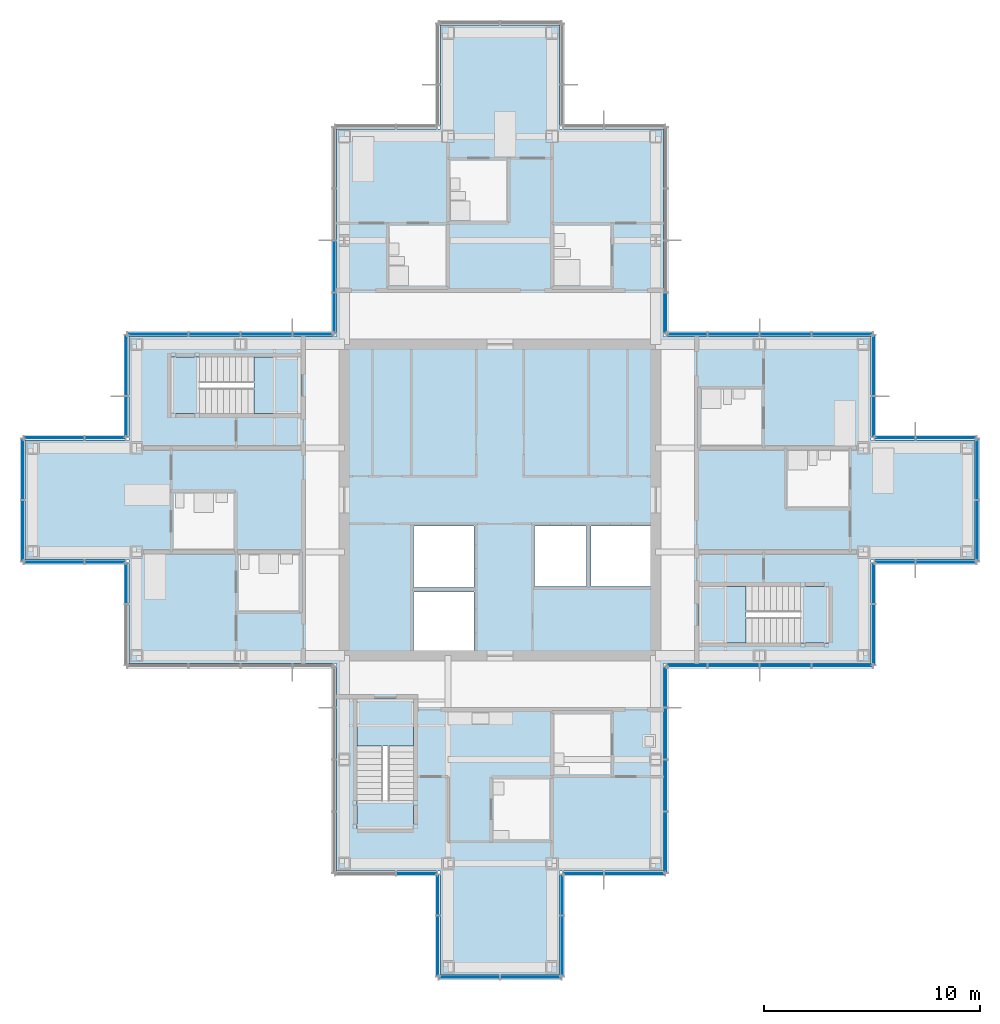
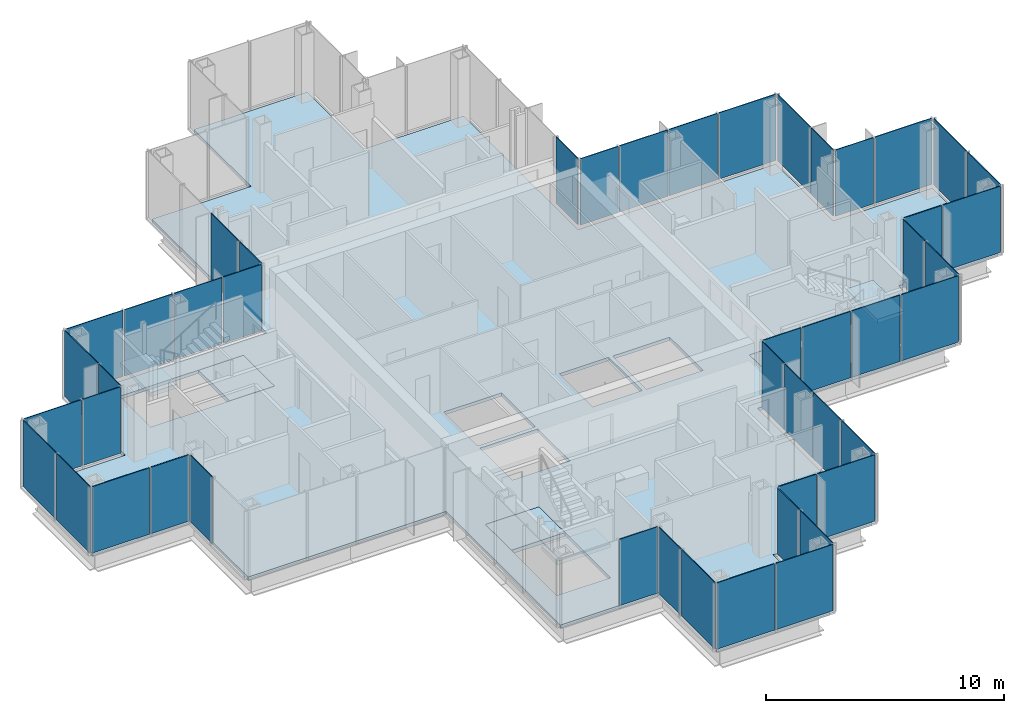
# One storey, part 10 of 17: 47 plates, 7 slabs, 24 elements without a shape of their own.
"""IFC4 building model written with IfcOpenShell, lengths in metres."""

from ifc_helpers import new_model, si_unit, direction, frame, origin, origin_2d, place, context, subcontext, project, spatial, polyline, rectangle, outline, extrude, material, layer, layer_set, type_object, element, aggregate, save


model = new_model("IFC4")

# Units and contexts
model_context = context("Model", 3, precision=1e-05, world=origin(), true_north=direction((0.0, 1.0)))
body_context = subcontext(model_context, "Body", "Model", "MODEL_VIEW")
ifc_project = project(units=[si_unit("LENGTHUNIT", "METRE"), si_unit("AREAUNIT", "SQUARE_METRE"), si_unit("VOLUMEUNIT", "CUBIC_METRE"), si_unit("PLANEANGLEUNIT", "RADIAN"), si_unit("MASSUNIT", "GRAM", prefix="KILO")], contexts=[model_context])

# Site, building, storey
site_placement = place(None, origin())
site = spatial("IfcSite", under=ifc_project, at=site_placement, CompositionType="ELEMENT")
building_placement = place(site_placement, origin())
building = spatial("IfcBuilding", under=site, at=building_placement, Name="Kvirike Care Tower", CompositionType="ELEMENT")
storey_placement = place(building_placement, frame((0.0, 0.0, 148.0)))
storey = spatial("IfcBuildingStorey", under=building, at=storey_placement, Name="L40", CompositionType="ELEMENT", Elevation=148.0)

# Slab
ifc_material_1 = material(Name="Concrete C35/45", Category="concrete")
ifc_layer_1 = layer(ifc_material_1, 0.169921875)
ifc_layer_set_1 = layer_set([ifc_layer_1], Name="FLOOR SLAB 170")
slab_type_1 = type_object("IfcSlabType", Name="FLOOR SLAB 170", PredefinedType="FLOOR", material=ifc_layer_set_1)
slab_1_placement = place(storey_placement, frame((0.0, 0.0, -0.169921875)))
element("IfcSlab", 1, at=slab_1_placement, inside=storey, type_object=slab_type_1, Name="Floor slab L40", PredefinedType="FLOOR", context=body_context, shape_type="SweptSolid", body=[
    extrude(outline(polyline([(29.14990234375, 28.449951171875), (38.75, 28.449951171875), (38.75, 33.25), (43.550048828125, 33.25), (43.550048828125, 38.75), (38.75, 38.75), (38.75, 43.550048828125), (29.14990234375, 43.550048828125), (29.14990234375, 53.14990234375), (24.35009765625, 53.14990234375), (24.35009765625, 57.949951171875), (18.85009765625, 57.949951171875), (18.85009765625, 53.14990234375), (14.050048828125, 53.14990234375), (14.050048828125, 43.550048828125), (4.449951171875, 43.550048828125), (4.449951171875, 38.75), (-0.35009765625, 38.75), (-0.35009765625, 33.25), (4.449951171875, 33.25), (4.449951171875, 28.449951171875), (14.050048828125, 28.449951171875), (14.050048828125, 18.85009765625), (18.85009765625, 18.85009765625), (18.85009765625, 14.050048828125), (24.35009765625, 14.050048828125), (24.35009765625, 18.85009765625), (29.14990234375, 18.85009765625), (29.14990234375, 28.449951171875)]), holes=[polyline([(17.60009765625, 29.050048828125), (17.60009765625, 31.75), (20.39990234375, 31.75), (20.39990234375, 29.050048828125), (17.60009765625, 29.050048828125)]), polyline([(17.60009765625, 31.949951171875), (17.60009765625, 34.800048828125), (20.39990234375, 34.800048828125), (20.39990234375, 31.949951171875), (17.60009765625, 31.949951171875)]), polyline([(23.199951171875, 32.0), (23.199951171875, 34.800048828125), (25.60009765625, 34.800048828125), (25.60009765625, 32.0), (23.199951171875, 32.0)]), polyline([(25.800048828125, 32.0), (25.800048828125, 34.800048828125), (28.550048828125, 34.800048828125), (28.550048828125, 32.0), (25.800048828125, 32.0)]), polyline([(12.39990234375, 42.60009765625), (12.39990234375, 40.0), (6.39990234375, 40.0), (6.39990234375, 42.60009765625), (12.39990234375, 42.60009765625)]), polyline([(30.800048828125, 29.39990234375), (30.800048828125, 32.0), (36.800048828125, 32.0), (36.800048828125, 29.39990234375), (30.800048828125, 29.39990234375)]), polyline([(15.0, 26.800048828125), (17.60009765625, 26.800048828125), (17.60009765625, 20.800048828125), (15.0, 20.800048828125), (15.0, 26.800048828125)])]), origin(), (0.0, 0.0, 1.0), 0.169921875),
])

# Stair, slabs
ifc_material_2 = material(Name="Concrete C35/45", Category="concrete")
stair_type = type_object("IfcStairType", Name="STAIR 20 RISERS", PredefinedType="HALF_TURN_STAIR", material=ifc_material_2)
stair_1_placement = place(storey_placement, origin())
stair_1 = element("IfcStair", 2, at=stair_1_placement, inside=storey, type_object=stair_type, Name="Stair 1 L40", PredefinedType="HALF_TURN_STAIR")
ifc_material_3 = material(Name="Concrete C35/45", Category="concrete")
ifc_layer_2 = layer(ifc_material_3, 0.199951171875)
ifc_layer_set_2 = layer_set([ifc_layer_2], Name="STAIR LANDING 200")
slab_type_2 = type_object("IfcSlabType", Name="STAIR LANDING 200", PredefinedType="LANDING", material=ifc_layer_set_2)
slab_2_placement = place(storey_placement, frame((0.0, 0.0, -0.199951171875)))
slab_2 = element("IfcSlab", 3, at=slab_2_placement, type_object=slab_type_2, Name="Stair S1 floor landing L40", PredefinedType="LANDING", context=body_context, shape_type="SweptSolid", body=[
    extrude(outline(polyline([(10.219970703125, 42.60009765625), (10.219970703125, 40.0), (12.39990234375, 40.0), (12.39990234375, 42.60009765625), (10.219970703125, 42.60009765625)])), origin(), (0.0, 0.0, 1.0), 0.199951171875),
])
slab_3_placement = place(storey_placement, frame((0.0, 0.0, 1.550048828125)))
slab_3 = element("IfcSlab", 4, at=slab_3_placement, type_object=slab_type_2, Name="Stair S1 half landing L40-L41", PredefinedType="LANDING", context=body_context, shape_type="SweptSolid", body=[
    extrude(outline(polyline([(6.39990234375, 42.60009765625), (6.39990234375, 40.0), (7.699951171875, 40.0), (7.699951171875, 42.60009765625), (6.39990234375, 42.60009765625)])), origin(), (0.0, 0.0, 1.0), 0.199951171875),
])
aggregate(stair_1, [slab_2, slab_3])

stair_2_placement = place(storey_placement, origin())
stair_2 = element("IfcStair", 5, at=stair_2_placement, inside=storey, type_object=stair_type, Name="Stair 2 L40", PredefinedType="HALF_TURN_STAIR")
slab_4_placement = place(storey_placement, frame((0.0, 0.0, -0.199951171875)))
slab_4 = element("IfcSlab", 6, at=slab_4_placement, type_object=slab_type_2, Name="Stair S2 floor landing L40", PredefinedType="LANDING", context=body_context, shape_type="SweptSolid", body=[
    extrude(outline(polyline([(32.97998046875, 29.39990234375), (32.97998046875, 32.0), (30.800048828125, 32.0), (30.800048828125, 29.39990234375), (32.97998046875, 29.39990234375)])), origin(), (0.0, 0.0, 1.0), 0.199951171875),
])
slab_5_placement = place(storey_placement, frame((0.0, 0.0, 1.550048828125)))
slab_5 = element("IfcSlab", 7, at=slab_5_placement, type_object=slab_type_2, Name="Stair S2 half landing L40-L41", PredefinedType="LANDING", context=body_context, shape_type="SweptSolid", body=[
    extrude(outline(polyline([(36.800048828125, 29.39990234375), (36.800048828125, 32.0), (35.5, 32.0), (35.5, 29.39990234375), (36.800048828125, 29.39990234375)])), origin(), (0.0, 0.0, 1.0), 0.199951171875),
])
aggregate(stair_2, [slab_4, slab_5])

stair_3_placement = place(storey_placement, origin())
stair_3 = element("IfcStair", 8, at=stair_3_placement, inside=storey, type_object=stair_type, Name="Stair 5 L40", PredefinedType="HALF_TURN_STAIR")
slab_6_placement = place(storey_placement, frame((0.0, 0.0, -0.199951171875)))
slab_6 = element("IfcSlab", 9, at=slab_6_placement, type_object=slab_type_2, Name="Stair S5 floor landing L40", PredefinedType="LANDING", context=body_context, shape_type="SweptSolid", body=[
    extrude(outline(polyline([(15.0, 24.6201171875), (17.60009765625, 24.6201171875), (17.60009765625, 26.800048828125), (15.0, 26.800048828125), (15.0, 24.6201171875)])), origin(), (0.0, 0.0, 1.0), 0.199951171875),
])
slab_7_placement = place(storey_placement, frame((0.0, 0.0, 1.550048828125)))
slab_7 = element("IfcSlab", 10, at=slab_7_placement, type_object=slab_type_2, Name="Stair S5 half landing L40-L41", PredefinedType="LANDING", context=body_context, shape_type="SweptSolid", body=[
    extrude(outline(polyline([(15.0, 20.800048828125), (17.60009765625, 20.800048828125), (17.60009765625, 22.10009765625), (15.0, 22.10009765625), (15.0, 20.800048828125)])), origin(), (0.0, 0.0, 1.0), 0.199951171875),
])
aggregate(stair_3, [slab_6, slab_7])

# Curtain wall, plates
ifc_material_4 = material(Name="Anodised aluminium stick system", Category="aluminium")
curtain_wall_type = type_object("IfcCurtainWallType", Name="CW-C STICK CURTAIN WALL", PredefinedType="NOTDEFINED", material=ifc_material_4)
curtain_wall_1_placement = place(storey_placement, origin())
curtain_wall_1 = element("IfcCurtainWall", 11, at=curtain_wall_1_placement, inside=storey, type_object=curtain_wall_type, Name="Curtain wall L40 face 1", PredefinedType="NOTDEFINED")
ifc_material_5 = material(Name="Tinted double glazed unit", Category="glass")
ifc_layer_3 = layer(ifc_material_5, 0.0400390625)
ifc_layer_set_3 = layer_set([ifc_layer_3], Name="TINTED VISION PANEL 40")
plate_type = type_object("IfcPlateType", Name="TINTED VISION PANEL 40", PredefinedType="CURTAIN_PANEL", material=ifc_layer_set_3)
plate_1_placement = place(storey_placement, frame((30.251220703125, 28.330078125, 0.10009765625), z_axis=(0.0, 0.0, 1.0), x_axis=(1.0, 0.0, 0.0)))
plate_1 = element("IfcPlate", 12, at=plate_1_placement, type_object=plate_type, Name="CW-C panel L40 face 1.1", PredefinedType="CURTAIN_PANEL", context=body_context, shape_type="SweptSolid", body=[
    extrude(rectangle(XDim=1.83251953125, YDim=0.0400390625, at=origin_2d()), origin(), (0.0, 0.0, 1.0), 3.39990234375),
])
plate_2_placement = place(storey_placement, frame((32.39990234375, 28.330078125, 0.10009765625), z_axis=(0.0, 0.0, 1.0), x_axis=(1.0, 0.0, 0.0)))
plate_2 = element("IfcPlate", 13, at=plate_2_placement, type_object=plate_type, Name="CW-C panel L40 face 1.2", PredefinedType="CURTAIN_PANEL", context=body_context, shape_type="SweptSolid", body=[
    extrude(rectangle(XDim=2.3349609375, YDim=0.0400390625, at=origin_2d()), origin(), (0.0, 0.0, 1.0), 3.39990234375),
])
plate_3_placement = place(storey_placement, frame((34.800048828125, 28.330078125, 0.10009765625), z_axis=(0.0, 0.0, 1.0), x_axis=(1.0, 0.0, 0.0)))
plate_3 = element("IfcPlate", 14, at=plate_3_placement, type_object=plate_type, Name="CW-C panel L40 face 1.3", PredefinedType="CURTAIN_PANEL", context=body_context, shape_type="SweptSolid", body=[
    extrude(rectangle(XDim=2.3349609375, YDim=0.0400390625, at=origin_2d()), origin(), (0.0, 0.0, 1.0), 3.39990234375),
])
plate_4_placement = place(storey_placement, frame((37.418701171875, 28.330078125, 0.10009765625), z_axis=(0.0, 0.0, 1.0), x_axis=(1.0, 0.0, 0.0)))
plate_4 = element("IfcPlate", 15, at=plate_4_placement, type_object=plate_type, Name="CW-C panel L40 face 1.4", PredefinedType="CURTAIN_PANEL", context=body_context, shape_type="SweptSolid", body=[
    extrude(rectangle(XDim=2.7724609375, YDim=0.0400390625, at=origin_2d()), origin(), (0.0, 0.0, 1.0), 3.39990234375),
])
aggregate(curtain_wall_1, [plate_1, plate_2, plate_3, plate_4])

curtain_wall_2_placement = place(storey_placement, origin())
curtain_wall_2 = element("IfcCurtainWall", 16, at=curtain_wall_2_placement, inside=storey, type_object=curtain_wall_type, Name="Curtain wall L40 face 2", PredefinedType="NOTDEFINED")
plate_5_placement = place(storey_placement, frame((38.8701171875, 29.78125, 0.10009765625), z_axis=(0.0, 0.0, 1.0), x_axis=(0.0, 1.0, 0.0)))
plate_5 = element("IfcPlate", 17, at=plate_5_placement, type_object=plate_type, Name="CW-C panel L40 face 2.1", PredefinedType="CURTAIN_PANEL", context=body_context, shape_type="SweptSolid", body=[
    extrude(rectangle(XDim=2.7724609375, YDim=0.0400390625, at=origin_2d()), origin(), (0.0, 0.0, 1.0), 3.39990234375),
])
plate_6_placement = place(storey_placement, frame((38.8701171875, 32.148681640625, 0.10009765625), z_axis=(0.0, 0.0, 1.0), x_axis=(0.0, 1.0, 0.0)))
plate_6 = element("IfcPlate", 18, at=plate_6_placement, type_object=plate_type, Name="CW-C panel L40 face 2.2", PredefinedType="CURTAIN_PANEL", context=body_context, shape_type="SweptSolid", body=[
    extrude(rectangle(XDim=1.83251953125, YDim=0.0400390625, at=origin_2d()), origin(), (0.0, 0.0, 1.0), 3.39990234375),
])
aggregate(curtain_wall_2, [plate_5, plate_6])

curtain_wall_3_placement = place(storey_placement, origin())
curtain_wall_3 = element("IfcCurtainWall", 19, at=curtain_wall_3_placement, inside=storey, type_object=curtain_wall_type, Name="Curtain wall L40 face 3", PredefinedType="NOTDEFINED")
plate_7_placement = place(storey_placement, frame((39.851318359375, 33.1298828125, 0.10009765625), z_axis=(0.0, 0.0, 1.0), x_axis=(1.0, 0.0, 0.0)))
plate_7 = element("IfcPlate", 20, at=plate_7_placement, type_object=plate_type, Name="CW-C panel L40 face 3.1", PredefinedType="CURTAIN_PANEL", context=body_context, shape_type="SweptSolid", body=[
    extrude(rectangle(XDim=1.83251953125, YDim=0.0400390625, at=origin_2d()), origin(), (0.0, 0.0, 1.0), 3.39990234375),
])
plate_8_placement = place(storey_placement, frame((42.21875, 33.1298828125, 0.10009765625), z_axis=(0.0, 0.0, 1.0), x_axis=(1.0, 0.0, 0.0)))
plate_8 = element("IfcPlate", 21, at=plate_8_placement, type_object=plate_type, Name="CW-C panel L40 face 3.2", PredefinedType="CURTAIN_PANEL", context=body_context, shape_type="SweptSolid", body=[
    extrude(rectangle(XDim=2.7724609375, YDim=0.0400390625, at=origin_2d()), origin(), (0.0, 0.0, 1.0), 3.39990234375),
])
aggregate(curtain_wall_3, [plate_7, plate_8])

curtain_wall_4_placement = place(storey_placement, origin())
curtain_wall_4 = element("IfcCurtainWall", 22, at=curtain_wall_4_placement, inside=storey, type_object=curtain_wall_type, Name="Curtain wall L40 face 4", PredefinedType="NOTDEFINED")
plate_9_placement = place(storey_placement, frame((43.669921875, 34.581298828125, 0.10009765625), z_axis=(0.0, 0.0, 1.0), x_axis=(0.0, 1.0, 0.0)))
plate_9 = element("IfcPlate", 23, at=plate_9_placement, type_object=plate_type, Name="CW-C panel L40 face 4.1", PredefinedType="CURTAIN_PANEL", context=body_context, shape_type="SweptSolid", body=[
    extrude(rectangle(XDim=2.7724609375, YDim=0.0400390625, at=origin_2d()), origin(), (0.0, 0.0, 1.0), 3.39990234375),
])
plate_10_placement = place(storey_placement, frame((43.669921875, 37.418701171875, 0.10009765625), z_axis=(0.0, 0.0, 1.0), x_axis=(0.0, 1.0, 0.0)))
plate_10 = element("IfcPlate", 24, at=plate_10_placement, type_object=plate_type, Name="CW-C panel L40 face 4.2", PredefinedType="CURTAIN_PANEL", context=body_context, shape_type="SweptSolid", body=[
    extrude(rectangle(XDim=2.7724609375, YDim=0.0400390625, at=origin_2d()), origin(), (0.0, 0.0, 1.0), 3.39990234375),
])
aggregate(curtain_wall_4, [plate_9, plate_10])

curtain_wall_5_placement = place(storey_placement, origin())
curtain_wall_5 = element("IfcCurtainWall", 25, at=curtain_wall_5_placement, inside=storey, type_object=curtain_wall_type, Name="Curtain wall L40 face 5", PredefinedType="NOTDEFINED")
plate_11_placement = place(storey_placement, frame((42.21875, 38.8701171875, 0.10009765625), z_axis=(0.0, 0.0, 1.0), x_axis=(-1.0, 0.0, 0.0)))
plate_11 = element("IfcPlate", 26, at=plate_11_placement, type_object=plate_type, Name="CW-C panel L40 face 5.1", PredefinedType="CURTAIN_PANEL", context=body_context, shape_type="SweptSolid", body=[
    extrude(rectangle(XDim=2.7724609375, YDim=0.0400390625, at=origin_2d()), origin(), (0.0, 0.0, 1.0), 3.39990234375),
])
plate_12_placement = place(storey_placement, frame((39.851318359375, 38.8701171875, 0.10009765625), z_axis=(0.0, 0.0, 1.0), x_axis=(-1.0, 0.0, 0.0)))
plate_12 = element("IfcPlate", 27, at=plate_12_placement, type_object=plate_type, Name="CW-C panel L40 face 5.2", PredefinedType="CURTAIN_PANEL", context=body_context, shape_type="SweptSolid", body=[
    extrude(rectangle(XDim=1.83251953125, YDim=0.0400390625, at=origin_2d()), origin(), (0.0, 0.0, 1.0), 3.39990234375),
])
aggregate(curtain_wall_5, [plate_11, plate_12])

curtain_wall_6_placement = place(storey_placement, origin())
curtain_wall_6 = element("IfcCurtainWall", 28, at=curtain_wall_6_placement, inside=storey, type_object=curtain_wall_type, Name="Curtain wall L40 face 6", PredefinedType="NOTDEFINED")
plate_13_placement = place(storey_placement, frame((38.8701171875, 39.851318359375, 0.10009765625), z_axis=(0.0, 0.0, 1.0), x_axis=(0.0, 1.0, 0.0)))
plate_13 = element("IfcPlate", 29, at=plate_13_placement, type_object=plate_type, Name="CW-C panel L40 face 6.1", PredefinedType="CURTAIN_PANEL", context=body_context, shape_type="SweptSolid", body=[
    extrude(rectangle(XDim=1.83251953125, YDim=0.0400390625, at=origin_2d()), origin(), (0.0, 0.0, 1.0), 3.39990234375),
])
plate_14_placement = place(storey_placement, frame((38.8701171875, 42.21875, 0.10009765625), z_axis=(0.0, 0.0, 1.0), x_axis=(0.0, 1.0, 0.0)))
plate_14 = element("IfcPlate", 30, at=plate_14_placement, type_object=plate_type, Name="CW-C panel L40 face 6.2", PredefinedType="CURTAIN_PANEL", context=body_context, shape_type="SweptSolid", body=[
    extrude(rectangle(XDim=2.7724609375, YDim=0.0400390625, at=origin_2d()), origin(), (0.0, 0.0, 1.0), 3.39990234375),
])
aggregate(curtain_wall_6, [plate_13, plate_14])

curtain_wall_7_placement = place(storey_placement, origin())
curtain_wall_7 = element("IfcCurtainWall", 31, at=curtain_wall_7_placement, inside=storey, type_object=curtain_wall_type, Name="Curtain wall L40 face 7", PredefinedType="NOTDEFINED")
plate_15_placement = place(storey_placement, frame((37.418701171875, 43.669921875, 0.10009765625), z_axis=(0.0, 0.0, 1.0), x_axis=(-1.0, 0.0, 0.0)))
plate_15 = element("IfcPlate", 32, at=plate_15_placement, type_object=plate_type, Name="CW-C panel L40 face 7.1", PredefinedType="CURTAIN_PANEL", context=body_context, shape_type="SweptSolid", body=[
    extrude(rectangle(XDim=2.7724609375, YDim=0.0400390625, at=origin_2d()), origin(), (0.0, 0.0, 1.0), 3.39990234375),
])
plate_16_placement = place(storey_placement, frame((34.800048828125, 43.669921875, 0.10009765625), z_axis=(0.0, 0.0, 1.0), x_axis=(-1.0, 0.0, 0.0)))
plate_16 = element("IfcPlate", 33, at=plate_16_placement, type_object=plate_type, Name="CW-C panel L40 face 7.2", PredefinedType="CURTAIN_PANEL", context=body_context, shape_type="SweptSolid", body=[
    extrude(rectangle(XDim=2.3349609375, YDim=0.0400390625, at=origin_2d()), origin(), (0.0, 0.0, 1.0), 3.39990234375),
])
plate_17_placement = place(storey_placement, frame((32.39990234375, 43.669921875, 0.10009765625), z_axis=(0.0, 0.0, 1.0), x_axis=(-1.0, 0.0, 0.0)))
plate_17 = element("IfcPlate", 34, at=plate_17_placement, type_object=plate_type, Name="CW-C panel L40 face 7.3", PredefinedType="CURTAIN_PANEL", context=body_context, shape_type="SweptSolid", body=[
    extrude(rectangle(XDim=2.3349609375, YDim=0.0400390625, at=origin_2d()), origin(), (0.0, 0.0, 1.0), 3.39990234375),
])
plate_18_placement = place(storey_placement, frame((30.251220703125, 43.669921875, 0.10009765625), z_axis=(0.0, 0.0, 1.0), x_axis=(-1.0, 0.0, 0.0)))
plate_18 = element("IfcPlate", 35, at=plate_18_placement, type_object=plate_type, Name="CW-C panel L40 face 7.4", PredefinedType="CURTAIN_PANEL", context=body_context, shape_type="SweptSolid", body=[
    extrude(rectangle(XDim=1.83251953125, YDim=0.0400390625, at=origin_2d()), origin(), (0.0, 0.0, 1.0), 3.39990234375),
])
aggregate(curtain_wall_7, [plate_15, plate_16, plate_17, plate_18])

# Curtain wall, plate
curtain_wall_8_placement = place(storey_placement, origin())
curtain_wall_8 = element("IfcCurtainWall", 36, at=curtain_wall_8_placement, inside=storey, type_object=curtain_wall_type, Name="Curtain wall L40 face 8", PredefinedType="NOTDEFINED")
plate_19_placement = place(storey_placement, frame((29.27001953125, 44.6513671875, 0.10009765625), z_axis=(0.0, 0.0, 1.0), x_axis=(0.0, 1.0, 0.0)))
plate_19 = element("IfcPlate", 37, at=plate_19_placement, type_object=plate_type, Name="CW-C panel L40 face 8.1", PredefinedType="CURTAIN_PANEL", context=body_context, shape_type="SweptSolid", body=[
    extrude(rectangle(XDim=1.83251953125, YDim=0.0400390625, at=origin_2d()), origin(), (0.0, 0.0, 1.0), 3.39990234375),
])
aggregate(curtain_wall_8, [plate_19])

# Curtain wall, plates
curtain_wall_9_placement = place(storey_placement, origin())
curtain_wall_9 = element("IfcCurtainWall", 38, at=curtain_wall_9_placement, inside=storey, type_object=curtain_wall_type, Name="Curtain wall L40 face 14", PredefinedType="NOTDEFINED")
plate_20_placement = place(storey_placement, frame((13.929931640625, 46.800048828125, 0.10009765625), z_axis=(0.0, 0.0, 1.0), x_axis=(0.0, -1.0, 0.0)))
plate_20 = element("IfcPlate", 39, at=plate_20_placement, type_object=plate_type, Name="CW-C panel L40 face 14.3", PredefinedType="CURTAIN_PANEL", context=body_context, shape_type="SweptSolid", body=[
    extrude(rectangle(XDim=2.3349609375, YDim=0.0400390625, at=origin_2d()), origin(), (0.0, 0.0, 1.0), 3.39990234375),
])
plate_21_placement = place(storey_placement, frame((13.929931640625, 44.6513671875, 0.10009765625), z_axis=(0.0, 0.0, 1.0), x_axis=(0.0, -1.0, 0.0)))
plate_21 = element("IfcPlate", 40, at=plate_21_placement, type_object=plate_type, Name="CW-C panel L40 face 14.4", PredefinedType="CURTAIN_PANEL", context=body_context, shape_type="SweptSolid", body=[
    extrude(rectangle(XDim=1.83251953125, YDim=0.0400390625, at=origin_2d()), origin(), (0.0, 0.0, 1.0), 3.39990234375),
])
aggregate(curtain_wall_9, [plate_20, plate_21])

curtain_wall_10_placement = place(storey_placement, origin())
curtain_wall_10 = element("IfcCurtainWall", 41, at=curtain_wall_10_placement, inside=storey, type_object=curtain_wall_type, Name="Curtain wall L40 face 15", PredefinedType="NOTDEFINED")
plate_22_placement = place(storey_placement, frame((12.94873046875, 43.669921875, 0.10009765625), z_axis=(0.0, 0.0, 1.0), x_axis=(-1.0, 0.0, 0.0)))
plate_22 = element("IfcPlate", 42, at=plate_22_placement, type_object=plate_type, Name="CW-C panel L40 face 15.1", PredefinedType="CURTAIN_PANEL", context=body_context, shape_type="SweptSolid", body=[
    extrude(rectangle(XDim=1.83251953125, YDim=0.0400390625, at=origin_2d()), origin(), (0.0, 0.0, 1.0), 3.39990234375),
])
plate_23_placement = place(storey_placement, frame((10.800048828125, 43.669921875, 0.10009765625), z_axis=(0.0, 0.0, 1.0), x_axis=(-1.0, 0.0, 0.0)))
plate_23 = element("IfcPlate", 43, at=plate_23_placement, type_object=plate_type, Name="CW-C panel L40 face 15.2", PredefinedType="CURTAIN_PANEL", context=body_context, shape_type="SweptSolid", body=[
    extrude(rectangle(XDim=2.3349609375, YDim=0.0400390625, at=origin_2d()), origin(), (0.0, 0.0, 1.0), 3.39990234375),
])
plate_24_placement = place(storey_placement, frame((8.39990234375, 43.669921875, 0.10009765625), z_axis=(0.0, 0.0, 1.0), x_axis=(-1.0, 0.0, 0.0)))
plate_24 = element("IfcPlate", 44, at=plate_24_placement, type_object=plate_type, Name="CW-C panel L40 face 15.3", PredefinedType="CURTAIN_PANEL", context=body_context, shape_type="SweptSolid", body=[
    extrude(rectangle(XDim=2.3349609375, YDim=0.0400390625, at=origin_2d()), origin(), (0.0, 0.0, 1.0), 3.39990234375),
])
plate_25_placement = place(storey_placement, frame((5.78125, 43.669921875, 0.10009765625), z_axis=(0.0, 0.0, 1.0), x_axis=(-1.0, 0.0, 0.0)))
plate_25 = element("IfcPlate", 45, at=plate_25_placement, type_object=plate_type, Name="CW-C panel L40 face 15.4", PredefinedType="CURTAIN_PANEL", context=body_context, shape_type="SweptSolid", body=[
    extrude(rectangle(XDim=2.7724609375, YDim=0.0400390625, at=origin_2d()), origin(), (0.0, 0.0, 1.0), 3.39990234375),
])
aggregate(curtain_wall_10, [plate_22, plate_23, plate_24, plate_25])

curtain_wall_11_placement = place(storey_placement, origin())
curtain_wall_11 = element("IfcCurtainWall", 46, at=curtain_wall_11_placement, inside=storey, type_object=curtain_wall_type, Name="Curtain wall L40 face 16", PredefinedType="NOTDEFINED")
plate_26_placement = place(storey_placement, frame((4.330078125, 42.21875, 0.10009765625), z_axis=(0.0, 0.0, 1.0), x_axis=(0.0, -1.0, 0.0)))
plate_26 = element("IfcPlate", 47, at=plate_26_placement, type_object=plate_type, Name="CW-C panel L40 face 16.1", PredefinedType="CURTAIN_PANEL", context=body_context, shape_type="SweptSolid", body=[
    extrude(rectangle(XDim=2.7724609375, YDim=0.0400390625, at=origin_2d()), origin(), (0.0, 0.0, 1.0), 3.39990234375),
])
plate_27_placement = place(storey_placement, frame((4.330078125, 39.851318359375, 0.10009765625), z_axis=(0.0, 0.0, 1.0), x_axis=(0.0, -1.0, 0.0)))
plate_27 = element("IfcPlate", 48, at=plate_27_placement, type_object=plate_type, Name="CW-C panel L40 face 16.2", PredefinedType="CURTAIN_PANEL", context=body_context, shape_type="SweptSolid", body=[
    extrude(rectangle(XDim=1.83251953125, YDim=0.0400390625, at=origin_2d()), origin(), (0.0, 0.0, 1.0), 3.39990234375),
])
aggregate(curtain_wall_11, [plate_26, plate_27])

curtain_wall_12_placement = place(storey_placement, origin())
curtain_wall_12 = element("IfcCurtainWall", 49, at=curtain_wall_12_placement, inside=storey, type_object=curtain_wall_type, Name="Curtain wall L40 face 17", PredefinedType="NOTDEFINED")
plate_28_placement = place(storey_placement, frame((3.3486328125, 38.8701171875, 0.10009765625), z_axis=(0.0, 0.0, 1.0), x_axis=(-1.0, 0.0, 0.0)))
plate_28 = element("IfcPlate", 50, at=plate_28_placement, type_object=plate_type, Name="CW-C panel L40 face 17.1", PredefinedType="CURTAIN_PANEL", context=body_context, shape_type="SweptSolid", body=[
    extrude(rectangle(XDim=1.83251953125, YDim=0.0400390625, at=origin_2d()), origin(), (0.0, 0.0, 1.0), 3.39990234375),
])
plate_29_placement = place(storey_placement, frame((0.981201171875, 38.8701171875, 0.10009765625), z_axis=(0.0, 0.0, 1.0), x_axis=(-1.0, 0.0, 0.0)))
plate_29 = element("IfcPlate", 51, at=plate_29_placement, type_object=plate_type, Name="CW-C panel L40 face 17.2", PredefinedType="CURTAIN_PANEL", context=body_context, shape_type="SweptSolid", body=[
    extrude(rectangle(XDim=2.7724609375, YDim=0.0400390625, at=origin_2d()), origin(), (0.0, 0.0, 1.0), 3.39990234375),
])
aggregate(curtain_wall_12, [plate_28, plate_29])

curtain_wall_13_placement = place(storey_placement, origin())
curtain_wall_13 = element("IfcCurtainWall", 52, at=curtain_wall_13_placement, inside=storey, type_object=curtain_wall_type, Name="Curtain wall L40 face 18", PredefinedType="NOTDEFINED")
plate_30_placement = place(storey_placement, frame((-0.469970703125, 37.418701171875, 0.10009765625), z_axis=(0.0, 0.0, 1.0), x_axis=(0.0, -1.0, 0.0)))
plate_30 = element("IfcPlate", 53, at=plate_30_placement, type_object=plate_type, Name="CW-C panel L40 face 18.1", PredefinedType="CURTAIN_PANEL", context=body_context, shape_type="SweptSolid", body=[
    extrude(rectangle(XDim=2.7724609375, YDim=0.0400390625, at=origin_2d()), origin(), (0.0, 0.0, 1.0), 3.39990234375),
])
plate_31_placement = place(storey_placement, frame((-0.469970703125, 34.581298828125, 0.10009765625), z_axis=(0.0, 0.0, 1.0), x_axis=(0.0, -1.0, 0.0)))
plate_31 = element("IfcPlate", 54, at=plate_31_placement, type_object=plate_type, Name="CW-C panel L40 face 18.2", PredefinedType="CURTAIN_PANEL", context=body_context, shape_type="SweptSolid", body=[
    extrude(rectangle(XDim=2.7724609375, YDim=0.0400390625, at=origin_2d()), origin(), (0.0, 0.0, 1.0), 3.39990234375),
])
aggregate(curtain_wall_13, [plate_30, plate_31])

curtain_wall_14_placement = place(storey_placement, origin())
curtain_wall_14 = element("IfcCurtainWall", 55, at=curtain_wall_14_placement, inside=storey, type_object=curtain_wall_type, Name="Curtain wall L40 face 19", PredefinedType="NOTDEFINED")
plate_32_placement = place(storey_placement, frame((0.981201171875, 33.1298828125, 0.10009765625), z_axis=(0.0, 0.0, 1.0), x_axis=(1.0, 0.0, 0.0)))
plate_32 = element("IfcPlate", 56, at=plate_32_placement, type_object=plate_type, Name="CW-C panel L40 face 19.1", PredefinedType="CURTAIN_PANEL", context=body_context, shape_type="SweptSolid", body=[
    extrude(rectangle(XDim=2.7724609375, YDim=0.0400390625, at=origin_2d()), origin(), (0.0, 0.0, 1.0), 3.39990234375),
])
plate_33_placement = place(storey_placement, frame((3.3486328125, 33.1298828125, 0.10009765625), z_axis=(0.0, 0.0, 1.0), x_axis=(1.0, 0.0, 0.0)))
plate_33 = element("IfcPlate", 57, at=plate_33_placement, type_object=plate_type, Name="CW-C panel L40 face 19.2", PredefinedType="CURTAIN_PANEL", context=body_context, shape_type="SweptSolid", body=[
    extrude(rectangle(XDim=1.83251953125, YDim=0.0400390625, at=origin_2d()), origin(), (0.0, 0.0, 1.0), 3.39990234375),
])
aggregate(curtain_wall_14, [plate_32, plate_33])

# Curtain wall, plate
curtain_wall_15_placement = place(storey_placement, origin())
curtain_wall_15 = element("IfcCurtainWall", 58, at=curtain_wall_15_placement, inside=storey, type_object=curtain_wall_type, Name="Curtain wall L40 face 20", PredefinedType="NOTDEFINED")
plate_34_placement = place(storey_placement, frame((4.330078125, 32.148681640625, 0.10009765625), z_axis=(0.0, 0.0, 1.0), x_axis=(0.0, -1.0, 0.0)))
plate_34 = element("IfcPlate", 59, at=plate_34_placement, type_object=plate_type, Name="CW-C panel L40 face 20.1", PredefinedType="CURTAIN_PANEL", context=body_context, shape_type="SweptSolid", body=[
    extrude(rectangle(XDim=1.83251953125, YDim=0.0400390625, at=origin_2d()), origin(), (0.0, 0.0, 1.0), 3.39990234375),
])
aggregate(curtain_wall_15, [plate_34])

curtain_wall_16_placement = place(storey_placement, origin())
curtain_wall_16 = element("IfcCurtainWall", 60, at=curtain_wall_16_placement, inside=storey, type_object=curtain_wall_type, Name="Curtain wall L40 face 23", PredefinedType="NOTDEFINED")
plate_35_placement = place(storey_placement, frame((17.748779296875, 18.72998046875, 0.10009765625), z_axis=(0.0, 0.0, 1.0), x_axis=(1.0, 0.0, 0.0)))
plate_35 = element("IfcPlate", 61, at=plate_35_placement, type_object=plate_type, Name="CW-C panel L40 face 23.2", PredefinedType="CURTAIN_PANEL", context=body_context, shape_type="SweptSolid", body=[
    extrude(rectangle(XDim=1.83251953125, YDim=0.0400390625, at=origin_2d()), origin(), (0.0, 0.0, 1.0), 3.39990234375),
])
aggregate(curtain_wall_16, [plate_35])

# Curtain wall, plates
curtain_wall_17_placement = place(storey_placement, origin())
curtain_wall_17 = element("IfcCurtainWall", 62, at=curtain_wall_17_placement, inside=storey, type_object=curtain_wall_type, Name="Curtain wall L40 face 24", PredefinedType="NOTDEFINED")
plate_36_placement = place(storey_placement, frame((18.72998046875, 17.748779296875, 0.10009765625), z_axis=(0.0, 0.0, 1.0), x_axis=(0.0, -1.0, 0.0)))
plate_36 = element("IfcPlate", 63, at=plate_36_placement, type_object=plate_type, Name="CW-C panel L40 face 24.1", PredefinedType="CURTAIN_PANEL", context=body_context, shape_type="SweptSolid", body=[
    extrude(rectangle(XDim=1.83251953125, YDim=0.0400390625, at=origin_2d()), origin(), (0.0, 0.0, 1.0), 3.39990234375),
])
plate_37_placement = place(storey_placement, frame((18.72998046875, 15.38134765625, 0.10009765625), z_axis=(0.0, 0.0, 1.0), x_axis=(0.0, -1.0, 0.0)))
plate_37 = element("IfcPlate", 64, at=plate_37_placement, type_object=plate_type, Name="CW-C panel L40 face 24.2", PredefinedType="CURTAIN_PANEL", context=body_context, shape_type="SweptSolid", body=[
    extrude(rectangle(XDim=2.7724609375, YDim=0.0400390625, at=origin_2d()), origin(), (0.0, 0.0, 1.0), 3.39990234375),
])
aggregate(curtain_wall_17, [plate_36, plate_37])

curtain_wall_18_placement = place(storey_placement, origin())
curtain_wall_18 = element("IfcCurtainWall", 65, at=curtain_wall_18_placement, inside=storey, type_object=curtain_wall_type, Name="Curtain wall L40 face 25", PredefinedType="NOTDEFINED")
plate_38_placement = place(storey_placement, frame((20.18115234375, 13.929931640625, 0.10009765625), z_axis=(0.0, 0.0, 1.0), x_axis=(1.0, 0.0, 0.0)))
plate_38 = element("IfcPlate", 66, at=plate_38_placement, type_object=plate_type, Name="CW-C panel L40 face 25.1", PredefinedType="CURTAIN_PANEL", context=body_context, shape_type="SweptSolid", body=[
    extrude(rectangle(XDim=2.7724609375, YDim=0.0400390625, at=origin_2d()), origin(), (0.0, 0.0, 1.0), 3.39990234375),
])
plate_39_placement = place(storey_placement, frame((23.018798828125, 13.929931640625, 0.10009765625), z_axis=(0.0, 0.0, 1.0), x_axis=(1.0, 0.0, 0.0)))
plate_39 = element("IfcPlate", 67, at=plate_39_placement, type_object=plate_type, Name="CW-C panel L40 face 25.2", PredefinedType="CURTAIN_PANEL", context=body_context, shape_type="SweptSolid", body=[
    extrude(rectangle(XDim=2.7724609375, YDim=0.0400390625, at=origin_2d()), origin(), (0.0, 0.0, 1.0), 3.39990234375),
])
aggregate(curtain_wall_18, [plate_38, plate_39])

curtain_wall_19_placement = place(storey_placement, origin())
curtain_wall_19 = element("IfcCurtainWall", 68, at=curtain_wall_19_placement, inside=storey, type_object=curtain_wall_type, Name="Curtain wall L40 face 26", PredefinedType="NOTDEFINED")
plate_40_placement = place(storey_placement, frame((24.469970703125, 15.38134765625, 0.10009765625), z_axis=(0.0, 0.0, 1.0), x_axis=(0.0, 1.0, 0.0)))
plate_40 = element("IfcPlate", 69, at=plate_40_placement, type_object=plate_type, Name="CW-C panel L40 face 26.1", PredefinedType="CURTAIN_PANEL", context=body_context, shape_type="SweptSolid", body=[
    extrude(rectangle(XDim=2.7724609375, YDim=0.0400390625, at=origin_2d()), origin(), (0.0, 0.0, 1.0), 3.39990234375),
])
plate_41_placement = place(storey_placement, frame((24.469970703125, 17.748779296875, 0.10009765625), z_axis=(0.0, 0.0, 1.0), x_axis=(0.0, 1.0, 0.0)))
plate_41 = element("IfcPlate", 70, at=plate_41_placement, type_object=plate_type, Name="CW-C panel L40 face 26.2", PredefinedType="CURTAIN_PANEL", context=body_context, shape_type="SweptSolid", body=[
    extrude(rectangle(XDim=1.83251953125, YDim=0.0400390625, at=origin_2d()), origin(), (0.0, 0.0, 1.0), 3.39990234375),
])
aggregate(curtain_wall_19, [plate_40, plate_41])

curtain_wall_20_placement = place(storey_placement, origin())
curtain_wall_20 = element("IfcCurtainWall", 71, at=curtain_wall_20_placement, inside=storey, type_object=curtain_wall_type, Name="Curtain wall L40 face 27", PredefinedType="NOTDEFINED")
plate_42_placement = place(storey_placement, frame((25.451171875, 18.72998046875, 0.10009765625), z_axis=(0.0, 0.0, 1.0), x_axis=(1.0, 0.0, 0.0)))
plate_42 = element("IfcPlate", 72, at=plate_42_placement, type_object=plate_type, Name="CW-C panel L40 face 27.1", PredefinedType="CURTAIN_PANEL", context=body_context, shape_type="SweptSolid", body=[
    extrude(rectangle(XDim=1.83251953125, YDim=0.0400390625, at=origin_2d()), origin(), (0.0, 0.0, 1.0), 3.39990234375),
])
plate_43_placement = place(storey_placement, frame((27.81884765625, 18.72998046875, 0.10009765625), z_axis=(0.0, 0.0, 1.0), x_axis=(1.0, 0.0, 0.0)))
plate_43 = element("IfcPlate", 73, at=plate_43_placement, type_object=plate_type, Name="CW-C panel L40 face 27.2", PredefinedType="CURTAIN_PANEL", context=body_context, shape_type="SweptSolid", body=[
    extrude(rectangle(XDim=2.7724609375, YDim=0.0400390625, at=origin_2d()), origin(), (0.0, 0.0, 1.0), 3.39990234375),
])
aggregate(curtain_wall_20, [plate_42, plate_43])

curtain_wall_21_placement = place(storey_placement, origin())
curtain_wall_21 = element("IfcCurtainWall", 74, at=curtain_wall_21_placement, inside=storey, type_object=curtain_wall_type, Name="Curtain wall L40 face 28", PredefinedType="NOTDEFINED")
plate_44_placement = place(storey_placement, frame((29.27001953125, 20.18115234375, 0.10009765625), z_axis=(0.0, 0.0, 1.0), x_axis=(0.0, 1.0, 0.0)))
plate_44 = element("IfcPlate", 75, at=plate_44_placement, type_object=plate_type, Name="CW-C panel L40 face 28.1", PredefinedType="CURTAIN_PANEL", context=body_context, shape_type="SweptSolid", body=[
    extrude(rectangle(XDim=2.7724609375, YDim=0.0400390625, at=origin_2d()), origin(), (0.0, 0.0, 1.0), 3.39990234375),
])
plate_45_placement = place(storey_placement, frame((29.27001953125, 22.800048828125, 0.10009765625), z_axis=(0.0, 0.0, 1.0), x_axis=(0.0, 1.0, 0.0)))
plate_45 = element("IfcPlate", 76, at=plate_45_placement, type_object=plate_type, Name="CW-C panel L40 face 28.2", PredefinedType="CURTAIN_PANEL", context=body_context, shape_type="SweptSolid", body=[
    extrude(rectangle(XDim=2.3349609375, YDim=0.0400390625, at=origin_2d()), origin(), (0.0, 0.0, 1.0), 3.39990234375),
])
plate_46_placement = place(storey_placement, frame((29.27001953125, 25.199951171875, 0.10009765625), z_axis=(0.0, 0.0, 1.0), x_axis=(0.0, 1.0, 0.0)))
plate_46 = element("IfcPlate", 77, at=plate_46_placement, type_object=plate_type, Name="CW-C panel L40 face 28.3", PredefinedType="CURTAIN_PANEL", context=body_context, shape_type="SweptSolid", body=[
    extrude(rectangle(XDim=2.3349609375, YDim=0.0400390625, at=origin_2d()), origin(), (0.0, 0.0, 1.0), 3.39990234375),
])
plate_47_placement = place(storey_placement, frame((29.27001953125, 27.3486328125, 0.10009765625), z_axis=(0.0, 0.0, 1.0), x_axis=(0.0, 1.0, 0.0)))
plate_47 = element("IfcPlate", 78, at=plate_47_placement, type_object=plate_type, Name="CW-C panel L40 face 28.4", PredefinedType="CURTAIN_PANEL", context=body_context, shape_type="SweptSolid", body=[
    extrude(rectangle(XDim=1.83251953125, YDim=0.0400390625, at=origin_2d()), origin(), (0.0, 0.0, 1.0), 3.39990234375),
])
aggregate(curtain_wall_21, [plate_44, plate_45, plate_46, plate_47])

save(model, "model.ifc")
